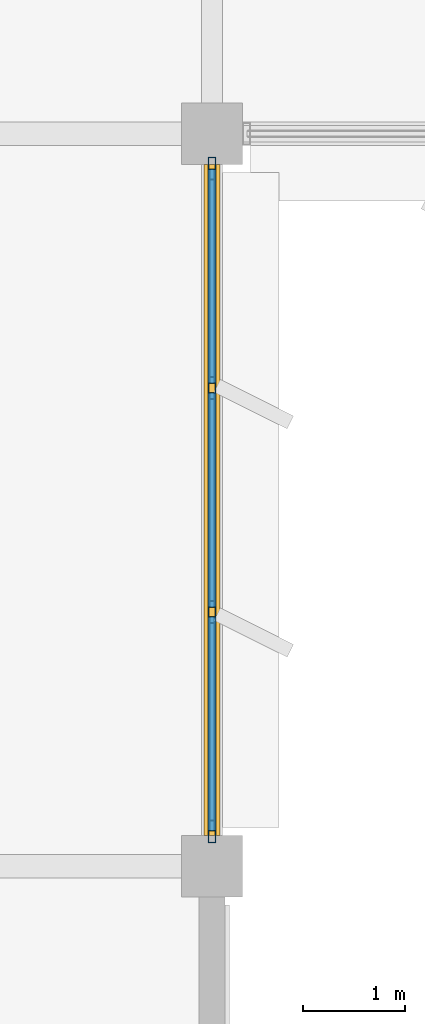
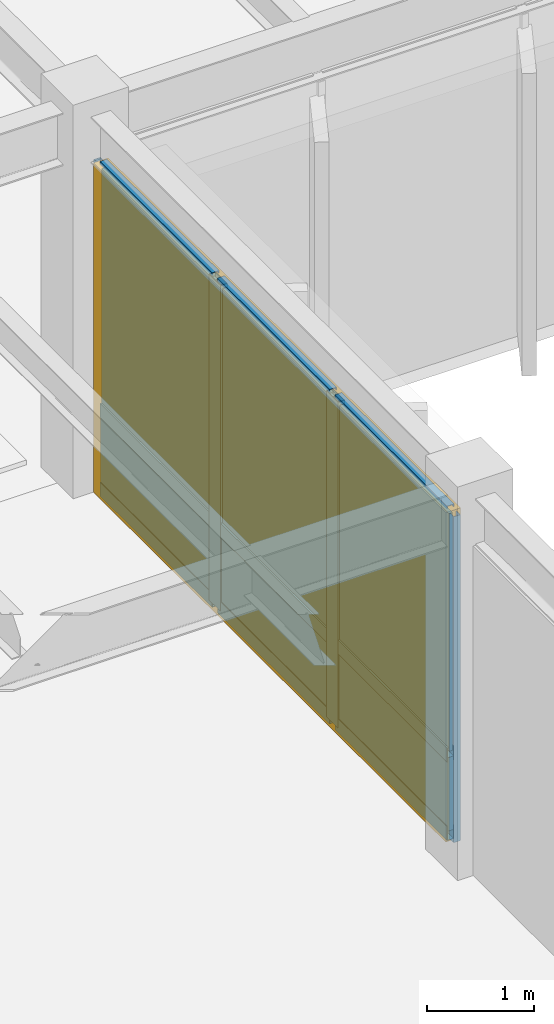
# One storey, part 54 of 92: 13 members, 6 plates, 1 curtain wall.
"""IFC4 building model written with IfcOpenShell, lengths in metres."""

import ifcopenshell
import ifcopenshell.guid

model = None  # the IFC model being written
_history = None  # IfcOwnerHistory: only IFC2X3 demands one
_inside = {}  # id of a spatial element -> (the spatial element, [elements in it])
_under = {}  # id of a project, library or spatial element -> (it, [spatial elements below it])
_declared = {}  # id of a project -> (the project, [libraries it declares])
_typed = {}  # id of a type object -> (the type object, [elements of that type])
_made_of = {}  # id of a material, layer set ... -> (it, [elements and type objects made of it])


def new_model(schema):
    """Start an empty IFC model of exactly this schema.

    Asked for "IFC4X3", IfcOpenShell would pick the latest addendum, in which some entities
    have other attributes; the version numbers below select the first issue.
    IFC2X3 requires an IfcOwnerHistory on every rooted entity: one is made here for all.
    """
    global model, _history
    if schema == "IFC4X3":
        model = ifcopenshell.file(schema_version=(4, 3, 0, 0))
    else:
        model = ifcopenshell.file(schema=schema)
    _inside.clear()
    _under.clear()
    _declared.clear()
    _typed.clear()
    _made_of.clear()
    _history = None
    if model.schema == "IFC2X3":
        org = make("IfcOrganization", Name="unknown")
        user = make(
            "IfcPersonAndOrganization",
            ThePerson=make("IfcPerson", FamilyName="unknown"),
            TheOrganization=org,
        )
        app = make(
            "IfcApplication",
            ApplicationDeveloper=org,
            Version="unknown",
            ApplicationFullName="unknown",
            ApplicationIdentifier="unknown",
        )
        _history = make(
            "IfcOwnerHistory",
            OwningUser=user,
            OwningApplication=app,
            ChangeAction="ADDED",
            CreationDate=0,
        )
    return model


def make(cls, **values):
    """One entity of the class cls with the attributes given. An attribute that is None is left unset."""
    return model.create_entity(
        cls, **{name: value for name, value in values.items() if value is not None}
    )


def rooted(cls, **values):
    """An entity with a GlobalId (a new one), such as an element, a storey or a relation."""
    return make(cls, GlobalId=ifcopenshell.guid.new(), OwnerHistory=_history, **values)


def si_unit(unit_type, name, prefix=None):
    """IfcSIUnit, for example si_unit("LENGTHUNIT", "METRE", prefix="MILLI")."""
    return make("IfcSIUnit", UnitType=unit_type, Prefix=prefix, Name=name)


def assignment(units):
    """IfcUnitAssignment: the units of a project."""
    return None if units is None else make("IfcUnitAssignment", Units=units)


def point(xyz):
    """IfcCartesianPoint."""
    return None if xyz is None else make("IfcCartesianPoint", Coordinates=xyz)


def direction(xyz):
    """IfcDirection."""
    return None if xyz is None else make("IfcDirection", DirectionRatios=xyz)


def frame(location, z_axis=None, x_axis=None):
    """IfcAxis2Placement3D, a coordinate frame: its origin and axes. An axis left out is left unset."""
    return make(
        "IfcAxis2Placement3D",
        Location=point(location),
        Axis=direction(z_axis),
        RefDirection=direction(x_axis),
    )


def frame_2d(location, x_axis=None):
    """IfcAxis2Placement2D, a coordinate frame in the plane: its origin and x axis."""
    return make(
        "IfcAxis2Placement2D", Location=point(location), RefDirection=direction(x_axis)
    )


def origin():
    """The frame at (0, 0, 0) with its axes left unset."""
    return frame((0.0, 0.0, 0.0))


def origin_2d():
    """The frame at (0, 0) in the plane with its x axis left unset."""
    return frame_2d((0.0, 0.0))


def place(relative_to, where):
    """IfcLocalPlacement: puts the frame where relative to a parent placement (None: the world)."""
    return make(
        "IfcLocalPlacement", PlacementRelTo=relative_to, RelativePlacement=where
    )


def context(
    kind, dimensions, precision=None, world=None, true_north=None, identifier=None
):
    """IfcGeometricRepresentationContext, for example the 3D "Model" context."""
    return make(
        "IfcGeometricRepresentationContext",
        ContextIdentifier=identifier,
        ContextType=kind,
        CoordinateSpaceDimension=dimensions,
        Precision=precision,
        WorldCoordinateSystem=world,
        TrueNorth=true_north,
    )


def subcontext(parent, identifier, kind, view, scale=None):
    """IfcGeometricRepresentationSubContext, for example "Body" below "Model"."""
    return make(
        "IfcGeometricRepresentationSubContext",
        ContextIdentifier=identifier,
        ContextType=kind,
        ParentContext=parent,
        TargetScale=scale,
        TargetView=view,
    )


def project(units=None, contexts=None):
    """IfcProject with its units and contexts."""
    return rooted(
        "IfcProject",
        Name="project",
        RepresentationContexts=contexts,
        UnitsInContext=assignment(units),
    )


def spatial(cls, under=None, at=None, **own):
    """A site, building, storey or space (cls), placed at a placement, below another one or the project."""
    s = rooted(cls, ObjectPlacement=at, **own)
    if under is not None:
        _under.setdefault(under.id(), (under, []))[1].append(s)
    return s


def profile(cls, at=None, kind="AREA", **sizes):
    """A parametric profile (cls). Its sizes go by their IFC names, for example OverallWidth=200.0."""
    return make(cls, ProfileType=kind, Position=at, **sizes)


def rectangle(**sizes):
    """IfcRectangleProfileDef."""
    return profile("IfcRectangleProfileDef", **sizes)


def hollow_rectangle(**sizes):
    """IfcRectangleHollowProfileDef."""
    return profile("IfcRectangleHollowProfileDef", **sizes)


def extrude(swept, where, along, depth):
    """IfcExtrudedAreaSolid: the profile swept, set in the frame where, extruded along a direction by depth."""
    return make(
        "IfcExtrudedAreaSolid",
        SweptArea=swept,
        Position=where,
        ExtrudedDirection=direction(along),
        Depth=depth,
    )


def shape(context_of_items, identifier, shape_type, items):
    """IfcShapeRepresentation: the items that make up one representation, for example the "Body"."""
    return make(
        "IfcShapeRepresentation",
        ContextOfItems=context_of_items,
        RepresentationIdentifier=identifier,
        RepresentationType=shape_type,
        Items=items,
    )


def material(Name=None, Category=None):
    """IfcMaterial."""
    return make("IfcMaterial", Name=Name, Category=Category)


def layer(
    of_material, thickness, ventilated=None, Name=None, Category=None, Priority=None
):
    """IfcMaterialLayer: one layer of a wall or slab, of a material (None: an air gap)."""
    return make(
        "IfcMaterialLayer",
        Material=of_material,
        LayerThickness=thickness,
        IsVentilated=ventilated,
        Name=Name,
        Category=Category,
        Priority=Priority,
    )


def layer_set(layers, Name=None):
    """IfcMaterialLayerSet."""
    return make("IfcMaterialLayerSet", MaterialLayers=layers, LayerSetName=Name)


def material_profile(
    of_material, cross_section, Name=None, Category=None, Priority=None
):
    """IfcMaterialProfile: a cross section and its material."""
    return make(
        "IfcMaterialProfile",
        Name=Name,
        Material=of_material,
        Profile=cross_section,
        Priority=Priority,
        Category=Category,
    )


def profile_set(profiles, Name=None, composite=None):
    """IfcMaterialProfileSet."""
    return make(
        "IfcMaterialProfileSet",
        Name=Name,
        MaterialProfiles=profiles,
        CompositeProfile=composite,
    )


def made_of(thing, what):
    """Note that an element or type object is made of a material, layer set ...; save() writes the relation."""
    if what is not None:
        _made_of.setdefault(what.id(), (what, []))[1].append(thing)
    return thing


def type_object(cls, material=None, **own):
    """A type object (cls), such as IfcWallType, which elements share."""
    return made_of(rooted(cls, **own), material)


def element(
    cls,
    number,
    at=None,
    inside=None,
    cuts=None,
    type_object=None,
    material=None,
    context=None,
    identifier="Body",
    shape_type=None,
    held_by="IfcProductDefinitionShape",
    body=None,
    shapes=None,
    **own,
):
    """One element of the class cls, such as IfcWall. Its Tag is "e" and its number.

    at: its placement. inside: the storey or other place that contains it. cuts: it is an
    opening in that element (IfcRelVoidsElement). A single representation is given by context,
    identifier, shape_type and body (its items); several are given by shapes. held_by: the class
    of the entity that holds the representations. save() writes the other relations.
    """
    e = rooted(cls, Tag="e%d" % number, ObjectPlacement=at, **own)
    if body is not None:
        shapes = [shape(context, identifier, shape_type, body)]
    if shapes is not None:
        e.Representation = make(held_by, Representations=shapes)
    if inside is not None:
        _inside.setdefault(inside.id(), (inside, []))[1].append(e)
    if cuts is not None:
        rooted(
            "IfcRelVoidsElement", RelatingBuildingElement=cuts, RelatedOpeningElement=e
        )
    if type_object is not None:
        _typed.setdefault(type_object.id(), (type_object, []))[1].append(e)
    return made_of(e, material)


def aggregate(whole, parts):
    """IfcRelAggregates: a whole, such as a stair, and the parts it consists of."""
    return rooted("IfcRelAggregates", RelatingObject=whole, RelatedObjects=parts)


def save(model, path):
    """Write the relations noted so far, then the file.

    IfcRelAggregates (storeys below a building ...), IfcRelContainedInSpatialStructure (elements
    in a storey), IfcRelDefinesByType, IfcRelAssociatesMaterial and IfcRelDeclares: one each for
    every whole, place, type object, material and project.
    """
    for whole, parts in _under.values():
        aggregate(whole, parts)
    for where, things in _inside.values():
        rooted(
            "IfcRelContainedInSpatialStructure",
            RelatedElements=things,
            RelatingStructure=where,
        )
    for kind, things in _typed.values():
        rooted("IfcRelDefinesByType", RelatedObjects=things, RelatingType=kind)
    for what, things in _made_of.values():
        rooted("IfcRelAssociatesMaterial", RelatedObjects=things, RelatingMaterial=what)
    for by, libraries in _declared.values():
        rooted("IfcRelDeclares", RelatingContext=by, RelatedDefinitions=libraries)
    model.write(path)


model = new_model("IFC4")

# Units and contexts
model_context = context("Model", 3, precision=1e-05, world=origin(), true_north=direction((0.0, 1.0)))
body_context = subcontext(model_context, "Body", "Model", "MODEL_VIEW")
ifc_project = project(units=[si_unit("LENGTHUNIT", "METRE"), si_unit("AREAUNIT", "SQUARE_METRE"), si_unit("VOLUMEUNIT", "CUBIC_METRE"), si_unit("PLANEANGLEUNIT", "RADIAN"), si_unit("MASSUNIT", "GRAM", prefix="KILO")], contexts=[model_context])

# Member
ifc_material_1 = material(Name="Anodized Aluminium 6063-T6", Category="aluminium")
ifc_material_profile_1 = material_profile(ifc_material_1, hollow_rectangle(XDim=0.074951171875, YDim=0.219970703125, WallThickness=0.0048828125, at=origin_2d()), Name="ALU 75x220x5")
ifc_profile_set_1 = profile_set([ifc_material_profile_1], Name="Anodized Aluminium 6063-T6")
member_type_1 = type_object("IfcMemberType", Name="CWM-75X180", PredefinedType="MULLION", material=ifc_profile_set_1)
site_placement = place(None, origin())
building_placement = place(site_placement, origin())
storey_placement = place(building_placement, frame((0.0, 0.0, 5.39990234375)))
member_1_placement = place(storey_placement, frame((36.0, 78.860107421875, 0.02001953125), z_axis=(0.0, 0.0, 1.0), x_axis=(1.0, 0.0, 0.0)))
member_1 = element("IfcMember", 1, at=member_1_placement, type_object=member_type_1, Name="Curtain wall mullion CW-L02-04-10-E-00", PredefinedType="MULLION", context=body_context, shape_type="SweptSolid", body=[
    extrude(hollow_rectangle(XDim=0.074951171875, YDim=0.219970703125, WallThickness=0.0048828125, at=origin_2d()), origin(), (0.0, 0.0, 1.0), 3.72705078125),
])

member_2_placement = place(storey_placement, frame((36.0, 76.699951171875, 0.02001953125), z_axis=(0.0, 0.0, 1.0), x_axis=(1.0, 0.0, 0.0)))
member_2 = element("IfcMember", 2, at=member_2_placement, type_object=member_type_1, Name="Curtain wall mullion CW-L02-04-10-E-01", PredefinedType="MULLION", context=body_context, shape_type="SweptSolid", body=[
    extrude(hollow_rectangle(XDim=0.074951171875, YDim=0.219970703125, WallThickness=0.0048828125, at=origin_2d()), origin(), (0.0, 0.0, 1.0), 3.72705078125),
])

member_3_placement = place(storey_placement, frame((36.0, 74.5, 0.02001953125), z_axis=(0.0, 0.0, 1.0), x_axis=(1.0, 0.0, 0.0)))
member_3 = element("IfcMember", 3, at=member_3_placement, type_object=member_type_1, Name="Curtain wall mullion CW-L02-04-10-E-02", PredefinedType="MULLION", context=body_context, shape_type="SweptSolid", body=[
    extrude(hollow_rectangle(XDim=0.074951171875, YDim=0.219970703125, WallThickness=0.0048828125, at=origin_2d()), origin(), (0.0, 0.0, 1.0), 3.72705078125),
])

member_4_placement = place(storey_placement, frame((36.0, 72.340087890625, 0.02001953125), z_axis=(0.0, 0.0, 1.0), x_axis=(1.0, 0.0, 0.0)))
member_4 = element("IfcMember", 4, at=member_4_placement, type_object=member_type_1, Name="Curtain wall mullion CW-L02-04-10-E-03", PredefinedType="MULLION", context=body_context, shape_type="SweptSolid", body=[
    extrude(hollow_rectangle(XDim=0.074951171875, YDim=0.219970703125, WallThickness=0.0048828125, at=origin_2d()), origin(), (0.0, 0.0, 1.0), 3.72705078125),
])

ifc_material_profile_2 = material_profile(ifc_material_1, hollow_rectangle(XDim=0.074951171875, YDim=0.159912109375, WallThickness=0.00390625, at=origin_2d()), Name="ALU 75x160x4")
ifc_profile_set_2 = profile_set([ifc_material_profile_2], Name="Anodized Aluminium 6063-T6")
member_type_2 = type_object("IfcMemberType", Name="CWT-75X150", PredefinedType="USERDEFINED", material=ifc_profile_set_2)
member_5_placement = place(storey_placement, frame((36.0, 78.85009765625, 0.050048828125), z_axis=(0.0, -1.0, 0.0), x_axis=(1.0, 0.0, 0.0)))
member_5 = element("IfcMember", 5, at=member_5_placement, type_object=member_type_2, Name="Curtain wall transom CW-L02-04-10-E-1.01", ObjectType="TRANSOM", PredefinedType="USERDEFINED", context=body_context, shape_type="SweptSolid", body=[
    extrude(hollow_rectangle(XDim=0.074951171875, YDim=0.159912109375, WallThickness=0.00390625, at=origin_2d()), origin(), (0.0, 0.0, 1.0), 2.10009765625),
])

member_6_placement = place(storey_placement, frame((36.0, 76.64990234375, 0.050048828125), z_axis=(0.0, -1.0, 0.0), x_axis=(1.0, 0.0, 0.0)))
member_6 = element("IfcMember", 6, at=member_6_placement, type_object=member_type_2, Name="Curtain wall transom CW-L02-04-10-E-1.02", ObjectType="TRANSOM", PredefinedType="USERDEFINED", context=body_context, shape_type="SweptSolid", body=[
    extrude(hollow_rectangle(XDim=0.074951171875, YDim=0.159912109375, WallThickness=0.00390625, at=origin_2d()), origin(), (0.0, 0.0, 1.0), 2.099853515625),
])

member_7_placement = place(storey_placement, frame((36.0, 74.449951171875, 0.050048828125), z_axis=(0.0, -1.0, 0.0), x_axis=(1.0, 0.0, 0.0)))
member_7 = element("IfcMember", 7, at=member_7_placement, type_object=member_type_2, Name="Curtain wall transom CW-L02-04-10-E-1.03", ObjectType="TRANSOM", PredefinedType="USERDEFINED", context=body_context, shape_type="SweptSolid", body=[
    extrude(hollow_rectangle(XDim=0.074951171875, YDim=0.159912109375, WallThickness=0.00390625, at=origin_2d()), origin(), (0.0, 0.0, 1.0), 2.099853515625),
])

member_8_placement = place(storey_placement, frame((36.0, 78.85009765625, 0.9501953125), z_axis=(0.0, -1.0, 0.0), x_axis=(1.0, 0.0, 0.0)))
member_8 = element("IfcMember", 8, at=member_8_placement, type_object=member_type_2, Name="Curtain wall transom CW-L02-04-10-E-2.01", ObjectType="TRANSOM", PredefinedType="USERDEFINED", context=body_context, shape_type="SweptSolid", body=[
    extrude(hollow_rectangle(XDim=0.074951171875, YDim=0.159912109375, WallThickness=0.00390625, at=origin_2d()), origin(), (0.0, 0.0, 1.0), 2.10009765625),
])

member_9_placement = place(storey_placement, frame((36.0, 76.64990234375, 0.9501953125), z_axis=(0.0, -1.0, 0.0), x_axis=(1.0, 0.0, 0.0)))
member_9 = element("IfcMember", 9, at=member_9_placement, type_object=member_type_2, Name="Curtain wall transom CW-L02-04-10-E-2.02", ObjectType="TRANSOM", PredefinedType="USERDEFINED", context=body_context, shape_type="SweptSolid", body=[
    extrude(hollow_rectangle(XDim=0.074951171875, YDim=0.159912109375, WallThickness=0.00390625, at=origin_2d()), origin(), (0.0, 0.0, 1.0), 2.099853515625),
])

member_10_placement = place(storey_placement, frame((36.0, 74.449951171875, 0.9501953125), z_axis=(0.0, -1.0, 0.0), x_axis=(1.0, 0.0, 0.0)))
member_10 = element("IfcMember", 10, at=member_10_placement, type_object=member_type_2, Name="Curtain wall transom CW-L02-04-10-E-2.03", ObjectType="TRANSOM", PredefinedType="USERDEFINED", context=body_context, shape_type="SweptSolid", body=[
    extrude(hollow_rectangle(XDim=0.074951171875, YDim=0.159912109375, WallThickness=0.00390625, at=origin_2d()), origin(), (0.0, 0.0, 1.0), 2.099853515625),
])

member_11_placement = place(storey_placement, frame((36.0, 78.85009765625, 3.717041015625), z_axis=(0.0, -1.0, 0.0), x_axis=(1.0, 0.0, 0.0)))
member_11 = element("IfcMember", 11, at=member_11_placement, type_object=member_type_2, Name="Curtain wall transom CW-L02-04-10-E-3.01", ObjectType="TRANSOM", PredefinedType="USERDEFINED", context=body_context, shape_type="SweptSolid", body=[
    extrude(hollow_rectangle(XDim=0.074951171875, YDim=0.159912109375, WallThickness=0.00390625, at=origin_2d()), origin(), (0.0, 0.0, 1.0), 2.10009765625),
])

member_12_placement = place(storey_placement, frame((36.0, 76.64990234375, 3.717041015625), z_axis=(0.0, -1.0, 0.0), x_axis=(1.0, 0.0, 0.0)))
member_12 = element("IfcMember", 12, at=member_12_placement, type_object=member_type_2, Name="Curtain wall transom CW-L02-04-10-E-3.02", ObjectType="TRANSOM", PredefinedType="USERDEFINED", context=body_context, shape_type="SweptSolid", body=[
    extrude(hollow_rectangle(XDim=0.074951171875, YDim=0.159912109375, WallThickness=0.00390625, at=origin_2d()), origin(), (0.0, 0.0, 1.0), 2.099853515625),
])

member_13_placement = place(storey_placement, frame((36.0, 74.449951171875, 3.717041015625), z_axis=(0.0, -1.0, 0.0), x_axis=(1.0, 0.0, 0.0)))
member_13 = element("IfcMember", 13, at=member_13_placement, type_object=member_type_2, Name="Curtain wall transom CW-L02-04-10-E-3.03", ObjectType="TRANSOM", PredefinedType="USERDEFINED", context=body_context, shape_type="SweptSolid", body=[
    extrude(hollow_rectangle(XDim=0.074951171875, YDim=0.159912109375, WallThickness=0.00390625, at=origin_2d()), origin(), (0.0, 0.0, 1.0), 2.099853515625),
])

# Plate
ifc_material_2 = material(Name="Acoustic Laminated Low-E Glazing", Category="glass")
ifc_layer_1 = layer(ifc_material_2, 0.0439453125)
ifc_layer_set_1 = layer_set([ifc_layer_1], Name="Acoustic Laminated Low-E Glazing")
plate_type_1 = type_object("IfcPlateType", Name="CWP-IGU-44", PredefinedType="CURTAIN_PANEL", material=ifc_layer_set_1)
plate_1_placement = place(storey_placement, frame((36.0, 77.800048828125, 0.990234375), z_axis=(0.0, 0.0, 1.0), x_axis=(0.0, -1.0, 0.0)))
plate_1 = element("IfcPlate", 14, at=plate_1_placement, type_object=plate_type_1, Name="Curtain wall vision glazing CW-L02-04-10-E-01", PredefinedType="CURTAIN_PANEL", context=body_context, shape_type="SweptSolid", body=[
    extrude(rectangle(XDim=2.110107421875, YDim=0.0400390625, at=origin_2d()), origin(), (0.0, 0.0, 1.0), 2.717041015625),
])

plate_2_placement = place(storey_placement, frame((36.0, 75.60009765625, 0.990234375), z_axis=(0.0, 0.0, 1.0), x_axis=(0.0, -1.0, 0.0)))
plate_2 = element("IfcPlate", 15, at=plate_2_placement, type_object=plate_type_1, Name="Curtain wall vision glazing CW-L02-04-10-E-02", PredefinedType="CURTAIN_PANEL", context=body_context, shape_type="SweptSolid", body=[
    extrude(rectangle(XDim=2.110107421875, YDim=0.0400390625, at=origin_2d()), origin(), (0.0, 0.0, 1.0), 2.717041015625),
])

plate_3_placement = place(storey_placement, frame((36.0, 73.39990234375, 0.990234375), z_axis=(0.0, 0.0, 1.0), x_axis=(0.0, -1.0, 0.0)))
plate_3 = element("IfcPlate", 16, at=plate_3_placement, type_object=plate_type_1, Name="Curtain wall vision glazing CW-L02-04-10-E-03", PredefinedType="CURTAIN_PANEL", context=body_context, shape_type="SweptSolid", body=[
    extrude(rectangle(XDim=2.110107421875, YDim=0.0400390625, at=origin_2d()), origin(), (0.0, 0.0, 1.0), 2.717041015625),
])

ifc_material_3 = material(Name="Insulated Stone-Composite Spandrel", Category="masonry")
ifc_layer_2 = layer(ifc_material_3, 0.068115234375)
ifc_layer_set_2 = layer_set([ifc_layer_2], Name="Insulated Stone-Composite Spandrel")
plate_type_2 = type_object("IfcPlateType", Name="CWP-SPN-68", PredefinedType="CURTAIN_PANEL", material=ifc_layer_set_2)
plate_4_placement = place(storey_placement, frame((36.0, 77.800048828125, 0.080078125), z_axis=(0.0, 0.0, 1.0), x_axis=(0.0, -1.0, 0.0)))
plate_4 = element("IfcPlate", 17, at=plate_4_placement, type_object=plate_type_2, Name="Curtain wall spandrel panel CW-L02-04-10-E-01", PredefinedType="CURTAIN_PANEL", context=body_context, shape_type="SweptSolid", body=[
    extrude(rectangle(XDim=2.110107421875, YDim=0.06005859375, at=origin_2d()), origin(), (0.0, 0.0, 1.0), 0.840087890625),
])

plate_5_placement = place(storey_placement, frame((36.0, 75.60009765625, 0.080078125), z_axis=(0.0, 0.0, 1.0), x_axis=(0.0, -1.0, 0.0)))
plate_5 = element("IfcPlate", 18, at=plate_5_placement, type_object=plate_type_2, Name="Curtain wall spandrel panel CW-L02-04-10-E-02", PredefinedType="CURTAIN_PANEL", context=body_context, shape_type="SweptSolid", body=[
    extrude(rectangle(XDim=2.110107421875, YDim=0.06005859375, at=origin_2d()), origin(), (0.0, 0.0, 1.0), 0.840087890625),
])

plate_6_placement = place(storey_placement, frame((36.0, 73.39990234375, 0.080078125), z_axis=(0.0, 0.0, 1.0), x_axis=(0.0, -1.0, 0.0)))
plate_6 = element("IfcPlate", 19, at=plate_6_placement, type_object=plate_type_2, Name="Curtain wall spandrel panel CW-L02-04-10-E-03", PredefinedType="CURTAIN_PANEL", context=body_context, shape_type="SweptSolid", body=[
    extrude(rectangle(XDim=2.110107421875, YDim=0.06005859375, at=origin_2d()), origin(), (0.0, 0.0, 1.0), 0.840087890625),
])

# Site, building, storey
site = spatial("IfcSite", under=ifc_project, at=site_placement, CompositionType="ELEMENT")
building = spatial("IfcBuilding", under=site, at=building_placement, Name="Sillqori Civic Hall", CompositionType="ELEMENT")
storey = spatial("IfcBuildingStorey", under=building, at=storey_placement, Name="L02", CompositionType="ELEMENT", Elevation=5.39990234375)

# Curtain wall
ifc_material_4 = material(Name="Anodized Aluminium Curtain Wall System", Category="aluminium")
curtain_wall_type = type_object("IfcCurtainWallType", Name="CW-GL-430", PredefinedType="NOTDEFINED", material=ifc_material_4)
curtain_wall_placement = place(storey_placement, frame((36.0, 75.60009765625, 0.0), z_axis=(0.0, 0.0, 1.0), x_axis=(0.0, -1.0, 0.0)))
curtain_wall = element("IfcCurtainWall", 20, at=curtain_wall_placement, inside=storey, type_object=curtain_wall_type, Name="L02 unitised curtain wall CW-L02-04-10-E", PredefinedType="NOTDEFINED", context=body_context, shape_type="SweptSolid", body=[
    extrude(rectangle(XDim=6.60009765625, YDim=0.159912109375, at=origin_2d()), origin(), (0.0, 0.0, 1.0), 3.76708984375),
])

aggregate(curtain_wall, [member_1, member_2, member_3, member_4, member_5, member_6, member_7, member_8, member_9, member_10, member_11, member_12, member_13, plate_4, plate_1, plate_5, plate_2, plate_6, plate_3])

save(model, "model.ifc")
